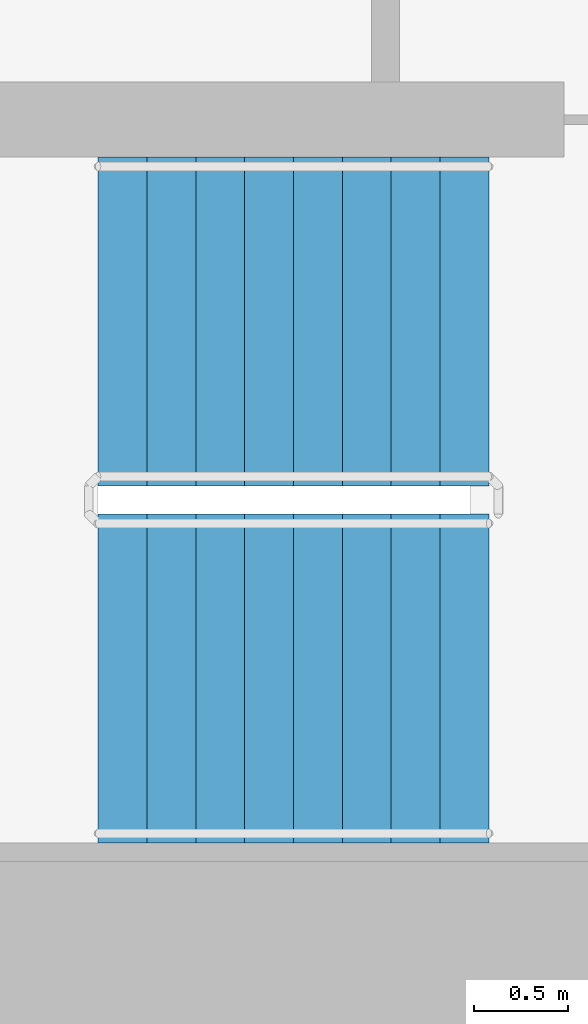
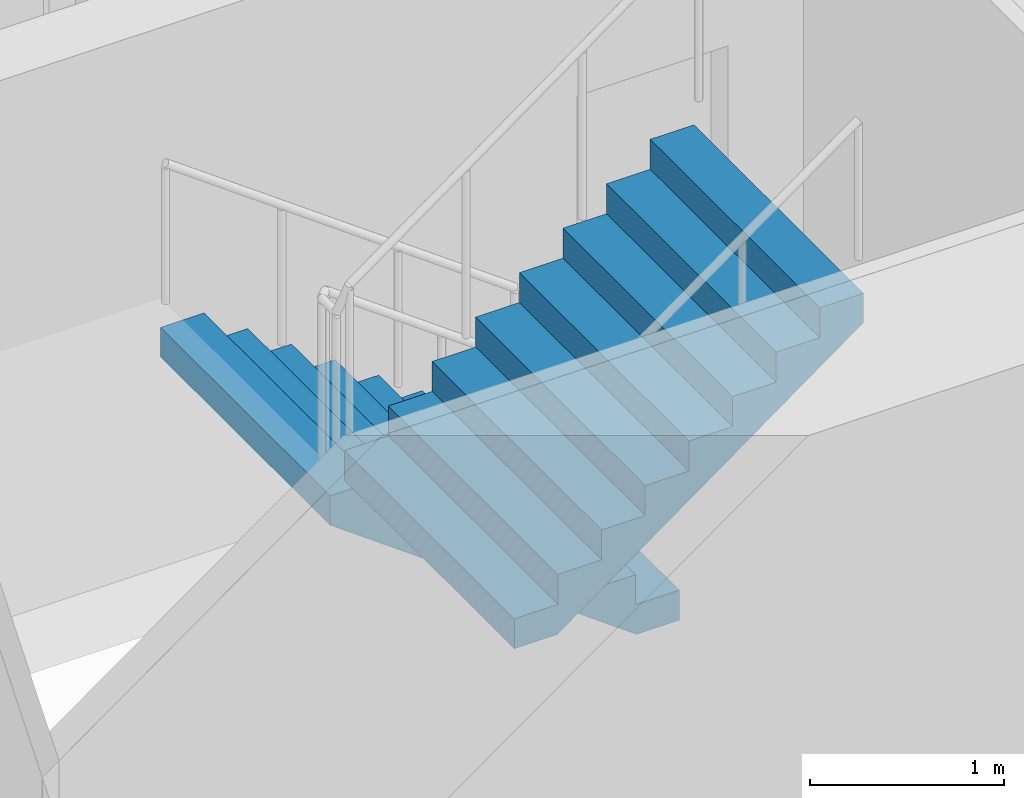
# One storey, part 16 of 21: 2 stair flights, 1 element without a shape of its own.
"""IFC4 building model written with IfcOpenShell, lengths in metres."""

from ifc_helpers import new_model, si_unit, direction, frame, origin, place, context, subcontext, project, spatial, faceted_brep, material, type_object, element, aggregate, save


model = new_model("IFC4")

# Units and contexts
model_context = context("Model", 3, precision=1e-05, world=origin(), true_north=direction((0.0, 1.0)))
body_context = subcontext(model_context, "Body", "Model", "MODEL_VIEW")
ifc_project = project(units=[si_unit("LENGTHUNIT", "METRE"), si_unit("AREAUNIT", "SQUARE_METRE"), si_unit("VOLUMEUNIT", "CUBIC_METRE"), si_unit("PLANEANGLEUNIT", "RADIAN"), si_unit("MASSUNIT", "GRAM", prefix="KILO")], contexts=[model_context])

# Site, building, storey
site_placement = place(None, origin())
site = spatial("IfcSite", under=ifc_project, at=site_placement, CompositionType="ELEMENT")
building_placement = place(site_placement, origin())
building = spatial("IfcBuilding", under=site, at=building_placement, Name="Ipe Terrace Towers", CompositionType="ELEMENT")
storey_placement = place(building_placement, frame((0.0, 0.0, 41.5)))
storey = spatial("IfcBuildingStorey", under=building, at=storey_placement, Name="L10", CompositionType="ELEMENT", Elevation=41.5)

# Stair, stair flights
ifc_material_1 = material(Name="Concrete C30/37", Category="concrete")
stair_type = type_object("IfcStairType", Name="Protected exit stair", PredefinedType="HALF_TURN_STAIR", material=ifc_material_1)
stair_placement = place(storey_placement, origin())
stair = element("IfcStair", 1, at=stair_placement, inside=storey, type_object=stair_type, Name="L10 Exit stair T1-C2", PredefinedType="HALF_TURN_STAIR")
ifc_material_2 = material(Name="Concrete C30/37", Category="concrete")
stair_flight_type = type_object("IfcStairFlightType", Name="Exit stair flight 1750", PredefinedType="STRAIGHT", material=ifc_material_2)
stair_flight_1_placement = place(storey_placement, frame((-45.699951171875, -2.77490234375, 0.0), z_axis=(0.0, 0.0, 1.0), x_axis=(-1.0, 0.0, 0.0)))
stair_flight_1 = element("IfcStairFlight", 2, at=stair_flight_1_placement, type_object=stair_flight_type, Name="T1-ST2 flight 1", NumberOfRisers=9, NumberOfTreads=8, PredefinedType="STRAIGHT", RiserHeight=0.188888889, TreadLength=0.26, context=body_context, shape_type="Brep", body=[
    faceted_brep([(0.255126953125, -0.875, 0.0), (2.080078125, -0.875, 1.325927734375), (2.080078125, -0.875, 1.51123046875), (1.820068359375, -0.875, 1.51123046875), (1.820068359375, -0.875, 1.322265625), (1.56005859375, -0.875, 1.322265625), (1.56005859375, -0.875, 1.13330078125), (1.300048828125, -0.875, 1.13330078125), (1.300048828125, -0.875, 0.9443359375), (1.0400390625, -0.875, 0.9443359375), (1.0400390625, -0.875, 0.755615234375), (0.780029296875, -0.875, 0.755615234375), (0.780029296875, -0.875, 0.566650390625), (0.52001953125, -0.875, 0.566650390625), (0.52001953125, -0.875, 0.377685546875), (0.260009765625, -0.875, 0.377685546875), (0.260009765625, -0.875, 0.18896484375), (0.0, -0.875, 0.18896484375), (0.0, -0.875, 0.0), (0.0, 0.875, 0.0), (0.0, 0.875, 0.18896484375), (0.260009765625, 0.875, 0.18896484375), (0.260009765625, 0.875, 0.377685546875), (0.52001953125, 0.875, 0.377685546875), (0.52001953125, 0.875, 0.566650390625), (0.780029296875, 0.875, 0.566650390625), (0.780029296875, 0.875, 0.755615234375), (1.0400390625, 0.875, 0.755615234375), (1.0400390625, 0.875, 0.9443359375), (1.300048828125, 0.875, 0.9443359375), (1.300048828125, 0.875, 1.13330078125), (1.56005859375, 0.875, 1.13330078125), (1.56005859375, 0.875, 1.322265625), (1.820068359375, 0.875, 1.322265625), (1.820068359375, 0.875, 1.51123046875), (2.080078125, 0.875, 1.51123046875), (2.080078125, 0.875, 1.325927734375), (0.255126953125, 0.875, 0.0), (0.0, -0.300048828125, 0.18896484375), (0.0, -0.1201171875, 0.18896484375), (0.0, -0.06005859375, 0.18896484375), (0.0, -0.030029296875, 0.18896484375), (0.0, -0.010009765625, 0.18896484375), (0.0, 0.0, 0.18896484375), (0.0, 0.010009765625, 0.18896484375), (0.0, 0.030029296875, 0.18896484375), (0.0, 0.06005859375, 0.18896484375), (0.0, 0.1201171875, 0.18896484375), (0.0, 0.300048828125, 0.18896484375), (0.0, 0.300048828125, 0.0), (0.0, 0.1201171875, 0.0), (0.0, 0.06005859375, 0.0), (0.0, 0.030029296875, 0.0), (0.0, 0.010009765625, 0.0), (0.0, 0.0, 0.0), (0.0, -0.010009765625, 0.0), (0.0, -0.030029296875, 0.0), (0.0, -0.06005859375, 0.0), (0.0, -0.1201171875, 0.0), (0.0, -0.300048828125, 0.0), (0.260009765625, -0.300048828125, 0.18896484375), (0.260009765625, -0.1201171875, 0.18896484375), (0.260009765625, -0.06005859375, 0.18896484375), (0.260009765625, -0.030029296875, 0.18896484375), (0.260009765625, -0.010009765625, 0.18896484375), (0.260009765625, 0.0, 0.18896484375), (0.260009765625, 0.010009765625, 0.18896484375), (0.260009765625, 0.030029296875, 0.18896484375), (0.260009765625, 0.06005859375, 0.18896484375), (0.260009765625, 0.1201171875, 0.18896484375), (0.260009765625, 0.300048828125, 0.18896484375), (0.260009765625, -0.300048828125, 0.377685546875), (0.260009765625, -0.1201171875, 0.377685546875), (0.260009765625, -0.06005859375, 0.377685546875), (0.260009765625, -0.030029296875, 0.377685546875), (0.260009765625, -0.010009765625, 0.377685546875), (0.260009765625, 0.0, 0.377685546875), (0.260009765625, 0.010009765625, 0.377685546875), (0.260009765625, 0.030029296875, 0.377685546875), (0.260009765625, 0.06005859375, 0.377685546875), (0.260009765625, 0.1201171875, 0.377685546875), (0.260009765625, 0.300048828125, 0.377685546875), (0.52001953125, -0.300048828125, 0.377685546875), (0.52001953125, -0.1201171875, 0.377685546875), (0.52001953125, -0.06005859375, 0.377685546875), (0.52001953125, -0.030029296875, 0.377685546875), (0.52001953125, -0.010009765625, 0.377685546875), (0.52001953125, 0.0, 0.377685546875), (0.52001953125, 0.010009765625, 0.377685546875), (0.52001953125, 0.030029296875, 0.377685546875), (0.52001953125, 0.06005859375, 0.377685546875), (0.52001953125, 0.1201171875, 0.377685546875), (0.52001953125, 0.300048828125, 0.377685546875), (0.52001953125, -0.300048828125, 0.566650390625), (0.52001953125, -0.1201171875, 0.566650390625), (0.52001953125, -0.06005859375, 0.566650390625), (0.52001953125, -0.030029296875, 0.566650390625), (0.52001953125, -0.010009765625, 0.566650390625), (0.52001953125, 0.0, 0.566650390625), (0.52001953125, 0.010009765625, 0.566650390625), (0.52001953125, 0.030029296875, 0.566650390625), (0.52001953125, 0.06005859375, 0.566650390625), (0.52001953125, 0.1201171875, 0.566650390625), (0.52001953125, 0.300048828125, 0.566650390625), (0.780029296875, -0.300048828125, 0.566650390625), (0.780029296875, -0.1201171875, 0.566650390625), (0.780029296875, -0.06005859375, 0.566650390625), (0.780029296875, -0.030029296875, 0.566650390625), (0.780029296875, -0.010009765625, 0.566650390625), (0.780029296875, 0.0, 0.566650390625), (0.780029296875, 0.010009765625, 0.566650390625), (0.780029296875, 0.030029296875, 0.566650390625), (0.780029296875, 0.06005859375, 0.566650390625), (0.780029296875, 0.1201171875, 0.566650390625), (0.780029296875, 0.300048828125, 0.566650390625), (0.780029296875, -0.300048828125, 0.755615234375), (0.780029296875, -0.1201171875, 0.755615234375), (0.780029296875, -0.06005859375, 0.755615234375), (0.780029296875, -0.030029296875, 0.755615234375), (0.780029296875, -0.010009765625, 0.755615234375), (0.780029296875, 0.0, 0.755615234375), (0.780029296875, 0.010009765625, 0.755615234375), (0.780029296875, 0.030029296875, 0.755615234375), (0.780029296875, 0.06005859375, 0.755615234375), (0.780029296875, 0.1201171875, 0.755615234375), (0.780029296875, 0.300048828125, 0.755615234375), (1.0400390625, -0.300048828125, 0.755615234375), (1.0400390625, -0.1201171875, 0.755615234375), (1.0400390625, -0.06005859375, 0.755615234375), (1.0400390625, -0.030029296875, 0.755615234375), (1.0400390625, -0.010009765625, 0.755615234375), (1.0400390625, 0.0, 0.755615234375), (1.0400390625, 0.010009765625, 0.755615234375), (1.0400390625, 0.030029296875, 0.755615234375), (1.0400390625, 0.06005859375, 0.755615234375), (1.0400390625, 0.1201171875, 0.755615234375), (1.0400390625, 0.300048828125, 0.755615234375), (1.0400390625, -0.300048828125, 0.9443359375), (1.0400390625, -0.1201171875, 0.9443359375), (1.0400390625, -0.06005859375, 0.9443359375), (1.0400390625, -0.030029296875, 0.9443359375), (1.0400390625, -0.010009765625, 0.9443359375), (1.0400390625, 0.0, 0.9443359375), (1.0400390625, 0.010009765625, 0.9443359375), (1.0400390625, 0.030029296875, 0.9443359375), (1.0400390625, 0.06005859375, 0.9443359375), (1.0400390625, 0.1201171875, 0.9443359375), (1.0400390625, 0.300048828125, 0.9443359375), (1.300048828125, -0.300048828125, 0.9443359375), (1.300048828125, -0.1201171875, 0.9443359375), (1.300048828125, -0.06005859375, 0.9443359375), (1.300048828125, -0.030029296875, 0.9443359375), (1.300048828125, -0.010009765625, 0.9443359375), (1.300048828125, 0.0, 0.9443359375), (1.300048828125, 0.010009765625, 0.9443359375), (1.300048828125, 0.030029296875, 0.9443359375), (1.300048828125, 0.06005859375, 0.9443359375), (1.300048828125, 0.1201171875, 0.9443359375), (1.300048828125, 0.300048828125, 0.9443359375), (1.300048828125, -0.300048828125, 1.13330078125), (1.300048828125, -0.1201171875, 1.13330078125), (1.300048828125, -0.06005859375, 1.13330078125), (1.300048828125, -0.030029296875, 1.13330078125), (1.300048828125, -0.010009765625, 1.13330078125), (1.300048828125, 0.0, 1.13330078125), (1.300048828125, 0.010009765625, 1.13330078125), (1.300048828125, 0.030029296875, 1.13330078125), (1.300048828125, 0.06005859375, 1.13330078125), (1.300048828125, 0.1201171875, 1.13330078125), (1.300048828125, 0.300048828125, 1.13330078125), (1.56005859375, -0.300048828125, 1.13330078125), (1.56005859375, -0.1201171875, 1.13330078125), (1.56005859375, -0.06005859375, 1.13330078125), (1.56005859375, -0.030029296875, 1.13330078125), (1.56005859375, -0.010009765625, 1.13330078125), (1.56005859375, 0.0, 1.13330078125), (1.56005859375, 0.010009765625, 1.13330078125), (1.56005859375, 0.030029296875, 1.13330078125), (1.56005859375, 0.06005859375, 1.13330078125), (1.56005859375, 0.1201171875, 1.13330078125), (1.56005859375, 0.300048828125, 1.13330078125), (1.56005859375, -0.300048828125, 1.322265625), (1.56005859375, -0.1201171875, 1.322265625), (1.56005859375, -0.06005859375, 1.322265625), (1.56005859375, -0.030029296875, 1.322265625), (1.56005859375, -0.010009765625, 1.322265625), (1.56005859375, 0.0, 1.322265625), (1.56005859375, 0.010009765625, 1.322265625), (1.56005859375, 0.030029296875, 1.322265625), (1.56005859375, 0.06005859375, 1.322265625), (1.56005859375, 0.1201171875, 1.322265625), (1.56005859375, 0.300048828125, 1.322265625), (1.820068359375, -0.300048828125, 1.322265625), (1.820068359375, -0.1201171875, 1.322265625), (1.820068359375, -0.06005859375, 1.322265625), (1.820068359375, -0.030029296875, 1.322265625), (1.820068359375, -0.010009765625, 1.322265625), (1.820068359375, 0.0, 1.322265625), (1.820068359375, 0.010009765625, 1.322265625), (1.820068359375, 0.030029296875, 1.322265625), (1.820068359375, 0.06005859375, 1.322265625), (1.820068359375, 0.1201171875, 1.322265625), (1.820068359375, 0.300048828125, 1.322265625), (1.820068359375, -0.300048828125, 1.51123046875), (1.820068359375, -0.1201171875, 1.51123046875), (1.820068359375, -0.06005859375, 1.51123046875), (1.820068359375, -0.030029296875, 1.51123046875), (1.820068359375, -0.010009765625, 1.51123046875), (1.820068359375, 0.0, 1.51123046875), (1.820068359375, 0.010009765625, 1.51123046875), (1.820068359375, 0.030029296875, 1.51123046875), (1.820068359375, 0.06005859375, 1.51123046875), (1.820068359375, 0.1201171875, 1.51123046875), (1.820068359375, 0.300048828125, 1.51123046875), (2.080078125, -0.300048828125, 1.51123046875), (2.080078125, -0.1201171875, 1.51123046875), (2.080078125, -0.06005859375, 1.51123046875), (2.080078125, -0.030029296875, 1.51123046875), (2.080078125, -0.010009765625, 1.51123046875), (2.080078125, 0.0, 1.51123046875), (2.080078125, 0.010009765625, 1.51123046875), (2.080078125, 0.030029296875, 1.51123046875), (2.080078125, 0.06005859375, 1.51123046875), (2.080078125, 0.1201171875, 1.51123046875), (2.080078125, 0.300048828125, 1.51123046875), (2.080078125, -0.300048828125, 1.325927734375), (2.080078125, -0.1201171875, 1.325927734375), (2.080078125, -0.06005859375, 1.325927734375), (2.080078125, -0.030029296875, 1.325927734375), (2.080078125, -0.010009765625, 1.325927734375), (2.080078125, 0.0, 1.325927734375), (2.080078125, 0.010009765625, 1.325927734375), (2.080078125, 0.030029296875, 1.325927734375), (2.080078125, 0.06005859375, 1.325927734375), (2.080078125, 0.1201171875, 1.325927734375), (2.080078125, 0.300048828125, 1.325927734375), (0.255126953125, -0.300048828125, 0.0), (0.255126953125, -0.1201171875, 0.0), (0.255126953125, -0.06005859375, 0.0), (0.255126953125, -0.030029296875, 0.0), (0.255126953125, -0.010009765625, 0.0), (0.255126953125, 0.0, 0.0), (0.255126953125, 0.010009765625, 0.0), (0.255126953125, 0.030029296875, 0.0), (0.255126953125, 0.06005859375, 0.0), (0.255126953125, 0.1201171875, 0.0), (0.255126953125, 0.300048828125, 0.0)], [[[0, 1, 2, 3, 4, 5, 6, 7, 8, 9, 10, 11, 12, 13, 14, 15, 16, 17, 18]], [[19, 20, 21, 22, 23, 24, 25, 26, 27, 28, 29, 30, 31, 32, 33, 34, 35, 36, 37]], [[17, 38, 39, 40, 41, 42, 43, 44, 45, 46, 47, 48, 20, 19, 49, 50, 51, 52, 53, 54, 55, 56, 57, 58, 59, 18]], [[16, 60, 61, 62, 63, 64, 65, 66, 67, 68, 69, 70, 21, 20, 48, 47, 46, 45, 44, 43, 42, 41, 40, 39, 38, 17]], [[15, 71, 72, 73, 74, 75, 76, 77, 78, 79, 80, 81, 22, 21, 70, 69, 68, 67, 66, 65, 64, 63, 62, 61, 60, 16]], [[14, 82, 83, 84, 85, 86, 87, 88, 89, 90, 91, 92, 23, 22, 81, 80, 79, 78, 77, 76, 75, 74, 73, 72, 71, 15]], [[13, 93, 94, 95, 96, 97, 98, 99, 100, 101, 102, 103, 24, 23, 92, 91, 90, 89, 88, 87, 86, 85, 84, 83, 82, 14]], [[12, 104, 105, 106, 107, 108, 109, 110, 111, 112, 113, 114, 25, 24, 103, 102, 101, 100, 99, 98, 97, 96, 95, 94, 93, 13]], [[11, 115, 116, 117, 118, 119, 120, 121, 122, 123, 124, 125, 26, 25, 114, 113, 112, 111, 110, 109, 108, 107, 106, 105, 104, 12]], [[10, 126, 127, 128, 129, 130, 131, 132, 133, 134, 135, 136, 27, 26, 125, 124, 123, 122, 121, 120, 119, 118, 117, 116, 115, 11]], [[9, 137, 138, 139, 140, 141, 142, 143, 144, 145, 146, 147, 28, 27, 136, 135, 134, 133, 132, 131, 130, 129, 128, 127, 126, 10]], [[8, 148, 149, 150, 151, 152, 153, 154, 155, 156, 157, 158, 29, 28, 147, 146, 145, 144, 143, 142, 141, 140, 139, 138, 137, 9]], [[7, 159, 160, 161, 162, 163, 164, 165, 166, 167, 168, 169, 30, 29, 158, 157, 156, 155, 154, 153, 152, 151, 150, 149, 148, 8]], [[6, 170, 171, 172, 173, 174, 175, 176, 177, 178, 179, 180, 31, 30, 169, 168, 167, 166, 165, 164, 163, 162, 161, 160, 159, 7]], [[5, 181, 182, 183, 184, 185, 186, 187, 188, 189, 190, 191, 32, 31, 180, 179, 178, 177, 176, 175, 174, 173, 172, 171, 170, 6]], [[4, 192, 193, 194, 195, 196, 197, 198, 199, 200, 201, 202, 33, 32, 191, 190, 189, 188, 187, 186, 185, 184, 183, 182, 181, 5]], [[3, 203, 204, 205, 206, 207, 208, 209, 210, 211, 212, 213, 34, 33, 202, 201, 200, 199, 198, 197, 196, 195, 194, 193, 192, 4]], [[2, 214, 215, 216, 217, 218, 219, 220, 221, 222, 223, 224, 35, 34, 213, 212, 211, 210, 209, 208, 207, 206, 205, 204, 203, 3]], [[1, 225, 226, 227, 228, 229, 230, 231, 232, 233, 234, 235, 36, 35, 224, 223, 222, 221, 220, 219, 218, 217, 216, 215, 214, 2]], [[0, 236, 237, 238, 239, 240, 241, 242, 243, 244, 245, 246, 37, 36, 235, 234, 233, 232, 231, 230, 229, 228, 227, 226, 225, 1]], [[18, 59, 58, 57, 56, 55, 54, 53, 52, 51, 50, 49, 19, 37, 246, 245, 244, 243, 242, 241, 240, 239, 238, 237, 236, 0]]]),
])
stair_flight_2_placement = place(storey_placement, frame((-47.780029296875, -4.675048828125, 1.699951171875), z_axis=(0.0, 0.0, 1.0), x_axis=(1.0, 0.0, 0.0)))
stair_flight_2 = element("IfcStairFlight", 3, at=stair_flight_2_placement, type_object=stair_flight_type, Name="T1-ST2 flight 2", NumberOfRisers=9, NumberOfTreads=8, PredefinedType="STRAIGHT", RiserHeight=0.188888889, TreadLength=0.26, context=body_context, shape_type="Brep", body=[
    faceted_brep([(0.255126953125, -0.875, 0.0), (2.080078125, -0.875, 1.325927734375), (2.080078125, -0.875, 1.51123046875), (1.820068359375, -0.875, 1.51123046875), (1.820068359375, -0.875, 1.322265625), (1.56005859375, -0.875, 1.322265625), (1.56005859375, -0.875, 1.13330078125), (1.300048828125, -0.875, 1.13330078125), (1.300048828125, -0.875, 0.9443359375), (1.0400390625, -0.875, 0.9443359375), (1.0400390625, -0.875, 0.755615234375), (0.780029296875, -0.875, 0.755615234375), (0.780029296875, -0.875, 0.566650390625), (0.52001953125, -0.875, 0.566650390625), (0.52001953125, -0.875, 0.377685546875), (0.260009765625, -0.875, 0.377685546875), (0.260009765625, -0.875, 0.18896484375), (0.0, -0.875, 0.18896484375), (0.0, -0.875, 0.0), (0.0, 0.875, 0.0), (0.0, 0.875, 0.18896484375), (0.260009765625, 0.875, 0.18896484375), (0.260009765625, 0.875, 0.377685546875), (0.52001953125, 0.875, 0.377685546875), (0.52001953125, 0.875, 0.566650390625), (0.780029296875, 0.875, 0.566650390625), (0.780029296875, 0.875, 0.755615234375), (1.0400390625, 0.875, 0.755615234375), (1.0400390625, 0.875, 0.9443359375), (1.300048828125, 0.875, 0.9443359375), (1.300048828125, 0.875, 1.13330078125), (1.56005859375, 0.875, 1.13330078125), (1.56005859375, 0.875, 1.322265625), (1.820068359375, 0.875, 1.322265625), (1.820068359375, 0.875, 1.51123046875), (2.080078125, 0.875, 1.51123046875), (2.080078125, 0.875, 1.325927734375), (0.255126953125, 0.875, 0.0), (0.0, -0.300048828125, 0.18896484375), (0.0, -0.1201171875, 0.18896484375), (0.0, -0.06005859375, 0.18896484375), (0.0, -0.030029296875, 0.18896484375), (0.0, -0.010009765625, 0.18896484375), (0.0, 0.0, 0.18896484375), (0.0, 0.010009765625, 0.18896484375), (0.0, 0.030029296875, 0.18896484375), (0.0, 0.06005859375, 0.18896484375), (0.0, 0.1201171875, 0.18896484375), (0.0, 0.300048828125, 0.18896484375), (0.0, 0.300048828125, 0.0), (0.0, 0.1201171875, 0.0), (0.0, 0.06005859375, 0.0), (0.0, 0.030029296875, 0.0), (0.0, 0.010009765625, 0.0), (0.0, 0.0, 0.0), (0.0, -0.010009765625, 0.0), (0.0, -0.030029296875, 0.0), (0.0, -0.06005859375, 0.0), (0.0, -0.1201171875, 0.0), (0.0, -0.300048828125, 0.0), (0.260009765625, -0.300048828125, 0.18896484375), (0.260009765625, -0.1201171875, 0.18896484375), (0.260009765625, -0.06005859375, 0.18896484375), (0.260009765625, -0.030029296875, 0.18896484375), (0.260009765625, -0.010009765625, 0.18896484375), (0.260009765625, 0.0, 0.18896484375), (0.260009765625, 0.010009765625, 0.18896484375), (0.260009765625, 0.030029296875, 0.18896484375), (0.260009765625, 0.06005859375, 0.18896484375), (0.260009765625, 0.1201171875, 0.18896484375), (0.260009765625, 0.300048828125, 0.18896484375), (0.260009765625, -0.300048828125, 0.377685546875), (0.260009765625, -0.1201171875, 0.377685546875), (0.260009765625, -0.06005859375, 0.377685546875), (0.260009765625, -0.030029296875, 0.377685546875), (0.260009765625, -0.010009765625, 0.377685546875), (0.260009765625, 0.0, 0.377685546875), (0.260009765625, 0.010009765625, 0.377685546875), (0.260009765625, 0.030029296875, 0.377685546875), (0.260009765625, 0.06005859375, 0.377685546875), (0.260009765625, 0.1201171875, 0.377685546875), (0.260009765625, 0.300048828125, 0.377685546875), (0.52001953125, -0.300048828125, 0.377685546875), (0.52001953125, -0.1201171875, 0.377685546875), (0.52001953125, -0.06005859375, 0.377685546875), (0.52001953125, -0.030029296875, 0.377685546875), (0.52001953125, -0.010009765625, 0.377685546875), (0.52001953125, 0.0, 0.377685546875), (0.52001953125, 0.010009765625, 0.377685546875), (0.52001953125, 0.030029296875, 0.377685546875), (0.52001953125, 0.06005859375, 0.377685546875), (0.52001953125, 0.1201171875, 0.377685546875), (0.52001953125, 0.300048828125, 0.377685546875), (0.52001953125, -0.300048828125, 0.566650390625), (0.52001953125, -0.1201171875, 0.566650390625), (0.52001953125, -0.06005859375, 0.566650390625), (0.52001953125, -0.030029296875, 0.566650390625), (0.52001953125, -0.010009765625, 0.566650390625), (0.52001953125, 0.0, 0.566650390625), (0.52001953125, 0.010009765625, 0.566650390625), (0.52001953125, 0.030029296875, 0.566650390625), (0.52001953125, 0.06005859375, 0.566650390625), (0.52001953125, 0.1201171875, 0.566650390625), (0.52001953125, 0.300048828125, 0.566650390625), (0.780029296875, -0.300048828125, 0.566650390625), (0.780029296875, -0.1201171875, 0.566650390625), (0.780029296875, -0.06005859375, 0.566650390625), (0.780029296875, -0.030029296875, 0.566650390625), (0.780029296875, -0.010009765625, 0.566650390625), (0.780029296875, 0.0, 0.566650390625), (0.780029296875, 0.010009765625, 0.566650390625), (0.780029296875, 0.030029296875, 0.566650390625), (0.780029296875, 0.06005859375, 0.566650390625), (0.780029296875, 0.1201171875, 0.566650390625), (0.780029296875, 0.300048828125, 0.566650390625), (0.780029296875, -0.300048828125, 0.755615234375), (0.780029296875, -0.1201171875, 0.755615234375), (0.780029296875, -0.06005859375, 0.755615234375), (0.780029296875, -0.030029296875, 0.755615234375), (0.780029296875, -0.010009765625, 0.755615234375), (0.780029296875, 0.0, 0.755615234375), (0.780029296875, 0.010009765625, 0.755615234375), (0.780029296875, 0.030029296875, 0.755615234375), (0.780029296875, 0.06005859375, 0.755615234375), (0.780029296875, 0.1201171875, 0.755615234375), (0.780029296875, 0.300048828125, 0.755615234375), (1.0400390625, -0.300048828125, 0.755615234375), (1.0400390625, -0.1201171875, 0.755615234375), (1.0400390625, -0.06005859375, 0.755615234375), (1.0400390625, -0.030029296875, 0.755615234375), (1.0400390625, -0.010009765625, 0.755615234375), (1.0400390625, 0.0, 0.755615234375), (1.0400390625, 0.010009765625, 0.755615234375), (1.0400390625, 0.030029296875, 0.755615234375), (1.0400390625, 0.06005859375, 0.755615234375), (1.0400390625, 0.1201171875, 0.755615234375), (1.0400390625, 0.300048828125, 0.755615234375), (1.0400390625, -0.300048828125, 0.9443359375), (1.0400390625, -0.1201171875, 0.9443359375), (1.0400390625, -0.06005859375, 0.9443359375), (1.0400390625, -0.030029296875, 0.9443359375), (1.0400390625, -0.010009765625, 0.9443359375), (1.0400390625, 0.0, 0.9443359375), (1.0400390625, 0.010009765625, 0.9443359375), (1.0400390625, 0.030029296875, 0.9443359375), (1.0400390625, 0.06005859375, 0.9443359375), (1.0400390625, 0.1201171875, 0.9443359375), (1.0400390625, 0.300048828125, 0.9443359375), (1.300048828125, -0.300048828125, 0.9443359375), (1.300048828125, -0.1201171875, 0.9443359375), (1.300048828125, -0.06005859375, 0.9443359375), (1.300048828125, -0.030029296875, 0.9443359375), (1.300048828125, -0.010009765625, 0.9443359375), (1.300048828125, 0.0, 0.9443359375), (1.300048828125, 0.010009765625, 0.9443359375), (1.300048828125, 0.030029296875, 0.9443359375), (1.300048828125, 0.06005859375, 0.9443359375), (1.300048828125, 0.1201171875, 0.9443359375), (1.300048828125, 0.300048828125, 0.9443359375), (1.300048828125, -0.300048828125, 1.13330078125), (1.300048828125, -0.1201171875, 1.13330078125), (1.300048828125, -0.06005859375, 1.13330078125), (1.300048828125, -0.030029296875, 1.13330078125), (1.300048828125, -0.010009765625, 1.13330078125), (1.300048828125, 0.0, 1.13330078125), (1.300048828125, 0.010009765625, 1.13330078125), (1.300048828125, 0.030029296875, 1.13330078125), (1.300048828125, 0.06005859375, 1.13330078125), (1.300048828125, 0.1201171875, 1.13330078125), (1.300048828125, 0.300048828125, 1.13330078125), (1.56005859375, -0.300048828125, 1.13330078125), (1.56005859375, -0.1201171875, 1.13330078125), (1.56005859375, -0.06005859375, 1.13330078125), (1.56005859375, -0.030029296875, 1.13330078125), (1.56005859375, -0.010009765625, 1.13330078125), (1.56005859375, 0.0, 1.13330078125), (1.56005859375, 0.010009765625, 1.13330078125), (1.56005859375, 0.030029296875, 1.13330078125), (1.56005859375, 0.06005859375, 1.13330078125), (1.56005859375, 0.1201171875, 1.13330078125), (1.56005859375, 0.300048828125, 1.13330078125), (1.56005859375, -0.300048828125, 1.322265625), (1.56005859375, -0.1201171875, 1.322265625), (1.56005859375, -0.06005859375, 1.322265625), (1.56005859375, -0.030029296875, 1.322265625), (1.56005859375, -0.010009765625, 1.322265625), (1.56005859375, 0.0, 1.322265625), (1.56005859375, 0.010009765625, 1.322265625), (1.56005859375, 0.030029296875, 1.322265625), (1.56005859375, 0.06005859375, 1.322265625), (1.56005859375, 0.1201171875, 1.322265625), (1.56005859375, 0.300048828125, 1.322265625), (1.820068359375, -0.300048828125, 1.322265625), (1.820068359375, -0.1201171875, 1.322265625), (1.820068359375, -0.06005859375, 1.322265625), (1.820068359375, -0.030029296875, 1.322265625), (1.820068359375, -0.010009765625, 1.322265625), (1.820068359375, 0.0, 1.322265625), (1.820068359375, 0.010009765625, 1.322265625), (1.820068359375, 0.030029296875, 1.322265625), (1.820068359375, 0.06005859375, 1.322265625), (1.820068359375, 0.1201171875, 1.322265625), (1.820068359375, 0.300048828125, 1.322265625), (1.820068359375, -0.300048828125, 1.51123046875), (1.820068359375, -0.1201171875, 1.51123046875), (1.820068359375, -0.06005859375, 1.51123046875), (1.820068359375, -0.030029296875, 1.51123046875), (1.820068359375, -0.010009765625, 1.51123046875), (1.820068359375, 0.0, 1.51123046875), (1.820068359375, 0.010009765625, 1.51123046875), (1.820068359375, 0.030029296875, 1.51123046875), (1.820068359375, 0.06005859375, 1.51123046875), (1.820068359375, 0.1201171875, 1.51123046875), (1.820068359375, 0.300048828125, 1.51123046875), (2.080078125, -0.300048828125, 1.51123046875), (2.080078125, -0.1201171875, 1.51123046875), (2.080078125, -0.06005859375, 1.51123046875), (2.080078125, -0.030029296875, 1.51123046875), (2.080078125, -0.010009765625, 1.51123046875), (2.080078125, 0.0, 1.51123046875), (2.080078125, 0.010009765625, 1.51123046875), (2.080078125, 0.030029296875, 1.51123046875), (2.080078125, 0.06005859375, 1.51123046875), (2.080078125, 0.1201171875, 1.51123046875), (2.080078125, 0.300048828125, 1.51123046875), (2.080078125, -0.300048828125, 1.325927734375), (2.080078125, -0.1201171875, 1.325927734375), (2.080078125, -0.06005859375, 1.325927734375), (2.080078125, -0.030029296875, 1.325927734375), (2.080078125, -0.010009765625, 1.325927734375), (2.080078125, 0.0, 1.325927734375), (2.080078125, 0.010009765625, 1.325927734375), (2.080078125, 0.030029296875, 1.325927734375), (2.080078125, 0.06005859375, 1.325927734375), (2.080078125, 0.1201171875, 1.325927734375), (2.080078125, 0.300048828125, 1.325927734375), (0.255126953125, -0.300048828125, 0.0), (0.255126953125, -0.1201171875, 0.0), (0.255126953125, -0.06005859375, 0.0), (0.255126953125, -0.030029296875, 0.0), (0.255126953125, -0.010009765625, 0.0), (0.255126953125, 0.0, 0.0), (0.255126953125, 0.010009765625, 0.0), (0.255126953125, 0.030029296875, 0.0), (0.255126953125, 0.06005859375, 0.0), (0.255126953125, 0.1201171875, 0.0), (0.255126953125, 0.300048828125, 0.0)], [[[0, 1, 2, 3, 4, 5, 6, 7, 8, 9, 10, 11, 12, 13, 14, 15, 16, 17, 18]], [[19, 20, 21, 22, 23, 24, 25, 26, 27, 28, 29, 30, 31, 32, 33, 34, 35, 36, 37]], [[17, 38, 39, 40, 41, 42, 43, 44, 45, 46, 47, 48, 20, 19, 49, 50, 51, 52, 53, 54, 55, 56, 57, 58, 59, 18]], [[16, 60, 61, 62, 63, 64, 65, 66, 67, 68, 69, 70, 21, 20, 48, 47, 46, 45, 44, 43, 42, 41, 40, 39, 38, 17]], [[15, 71, 72, 73, 74, 75, 76, 77, 78, 79, 80, 81, 22, 21, 70, 69, 68, 67, 66, 65, 64, 63, 62, 61, 60, 16]], [[14, 82, 83, 84, 85, 86, 87, 88, 89, 90, 91, 92, 23, 22, 81, 80, 79, 78, 77, 76, 75, 74, 73, 72, 71, 15]], [[13, 93, 94, 95, 96, 97, 98, 99, 100, 101, 102, 103, 24, 23, 92, 91, 90, 89, 88, 87, 86, 85, 84, 83, 82, 14]], [[12, 104, 105, 106, 107, 108, 109, 110, 111, 112, 113, 114, 25, 24, 103, 102, 101, 100, 99, 98, 97, 96, 95, 94, 93, 13]], [[11, 115, 116, 117, 118, 119, 120, 121, 122, 123, 124, 125, 26, 25, 114, 113, 112, 111, 110, 109, 108, 107, 106, 105, 104, 12]], [[10, 126, 127, 128, 129, 130, 131, 132, 133, 134, 135, 136, 27, 26, 125, 124, 123, 122, 121, 120, 119, 118, 117, 116, 115, 11]], [[9, 137, 138, 139, 140, 141, 142, 143, 144, 145, 146, 147, 28, 27, 136, 135, 134, 133, 132, 131, 130, 129, 128, 127, 126, 10]], [[8, 148, 149, 150, 151, 152, 153, 154, 155, 156, 157, 158, 29, 28, 147, 146, 145, 144, 143, 142, 141, 140, 139, 138, 137, 9]], [[7, 159, 160, 161, 162, 163, 164, 165, 166, 167, 168, 169, 30, 29, 158, 157, 156, 155, 154, 153, 152, 151, 150, 149, 148, 8]], [[6, 170, 171, 172, 173, 174, 175, 176, 177, 178, 179, 180, 31, 30, 169, 168, 167, 166, 165, 164, 163, 162, 161, 160, 159, 7]], [[5, 181, 182, 183, 184, 185, 186, 187, 188, 189, 190, 191, 32, 31, 180, 179, 178, 177, 176, 175, 174, 173, 172, 171, 170, 6]], [[4, 192, 193, 194, 195, 196, 197, 198, 199, 200, 201, 202, 33, 32, 191, 190, 189, 188, 187, 186, 185, 184, 183, 182, 181, 5]], [[3, 203, 204, 205, 206, 207, 208, 209, 210, 211, 212, 213, 34, 33, 202, 201, 200, 199, 198, 197, 196, 195, 194, 193, 192, 4]], [[2, 214, 215, 216, 217, 218, 219, 220, 221, 222, 223, 224, 35, 34, 213, 212, 211, 210, 209, 208, 207, 206, 205, 204, 203, 3]], [[1, 225, 226, 227, 228, 229, 230, 231, 232, 233, 234, 235, 36, 35, 224, 223, 222, 221, 220, 219, 218, 217, 216, 215, 214, 2]], [[0, 236, 237, 238, 239, 240, 241, 242, 243, 244, 245, 246, 37, 36, 235, 234, 233, 232, 231, 230, 229, 228, 227, 226, 225, 1]], [[18, 59, 58, 57, 56, 55, 54, 53, 52, 51, 50, 49, 19, 37, 246, 245, 244, 243, 242, 241, 240, 239, 238, 237, 236, 0]]]),
])
aggregate(stair, [stair_flight_1, stair_flight_2])

save(model, "model.ifc")
